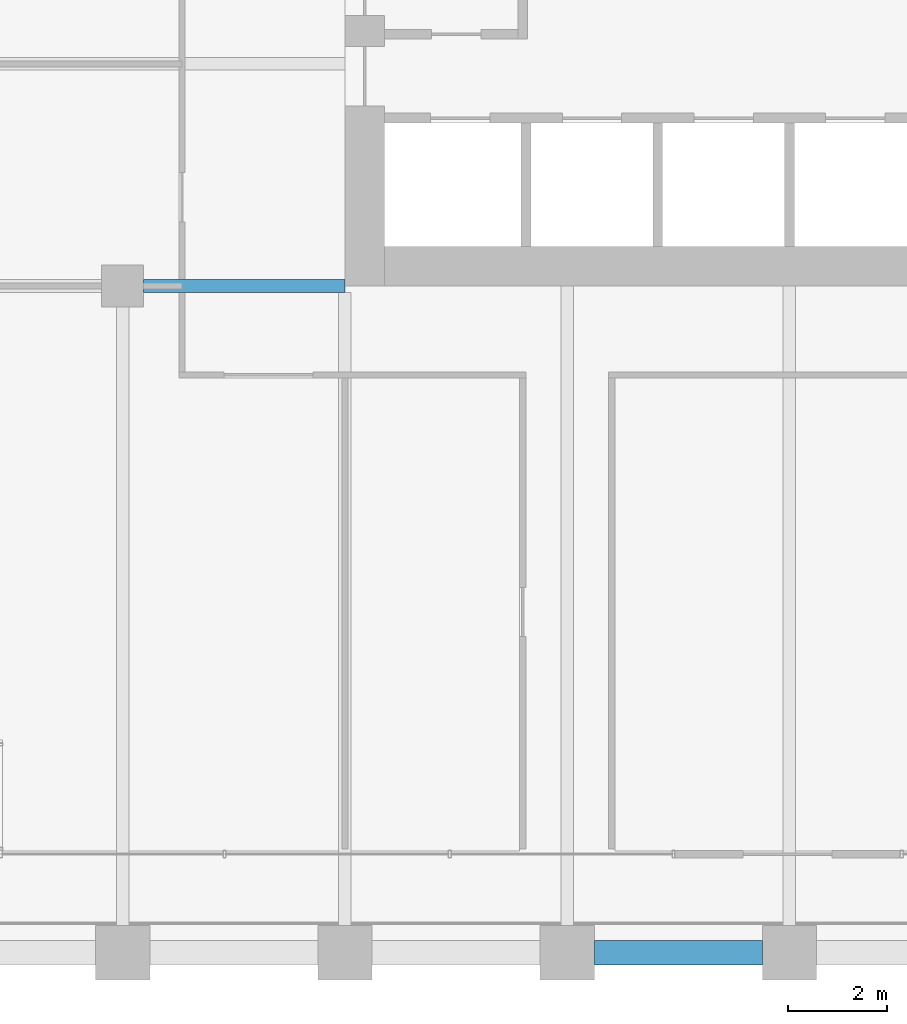
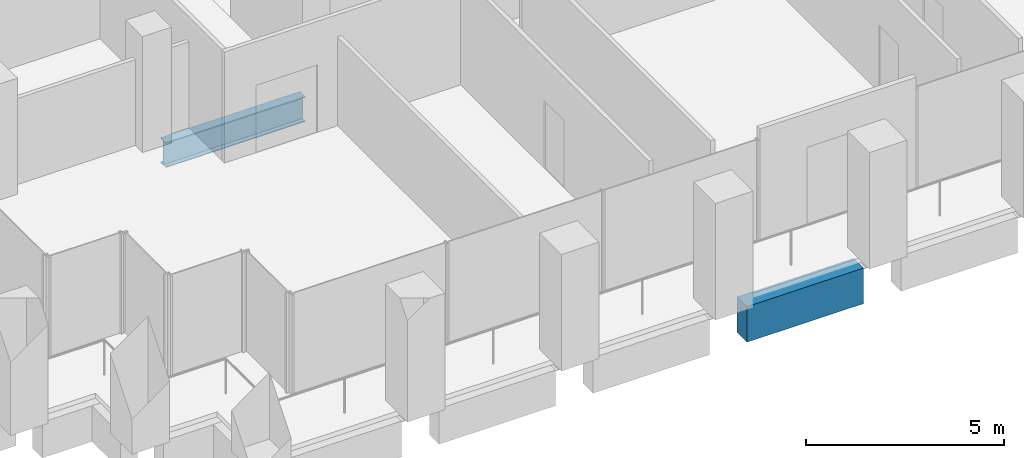
# One storey, part 6 of 56: 2 beams.
"""IFC4 building model written with IfcOpenShell, lengths in metres."""

from ifc_helpers import new_model, si_unit, direction, frame, origin, origin_2d, place, context, subcontext, project, spatial, rectangle, i_section, extrude, material, material_profile, profile_set, type_object, element, save


model = new_model("IFC4")

# Units and contexts
model_context = context("Model", 3, precision=1e-05, world=origin(), true_north=direction((0.0, 1.0)))
body_context = subcontext(model_context, "Body", "Model", "MODEL_VIEW")
ifc_project = project(units=[si_unit("LENGTHUNIT", "METRE"), si_unit("AREAUNIT", "SQUARE_METRE"), si_unit("VOLUMEUNIT", "CUBIC_METRE"), si_unit("PLANEANGLEUNIT", "RADIAN"), si_unit("MASSUNIT", "GRAM", prefix="KILO")], contexts=[model_context])

# Site, building, storey
site_placement = place(None, origin())
site = spatial("IfcSite", under=ifc_project, at=site_placement, CompositionType="ELEMENT")
building_placement = place(site_placement, origin())
building = spatial("IfcBuilding", under=site, at=building_placement, Name="Altepetl Exchange Towers", CompositionType="ELEMENT")
storey_placement = place(building_placement, frame((0.0, 0.0, 72.60009765625)))
storey = spatial("IfcBuildingStorey", under=building, at=storey_placement, Name="L17", CompositionType="ELEMENT", Elevation=72.60009765625)

# Beams
ifc_material_1 = material(Name="Steel S355", Category="steel")
ifc_material_profile_1 = material_profile(ifc_material_1, i_section(OverallWidth=0.26806640625, OverallDepth=0.77392578125, WebThickness=0.015380859375, FlangeThickness=0.025390625, at=origin_2d()), Name="W30X132")
ifc_profile_set_1 = profile_set([ifc_material_profile_1], Name="Steel S355")
beam_type_1 = type_object("IfcBeamType", Name="Girder W30X132", PredefinedType="BEAM", material=ifc_profile_set_1)
beam_1_placement = place(storey_placement, frame((40.5, 40.5, -0.537109375), z_axis=(-1.0, 0.0, 0.0), x_axis=(0.0, -1.0, 0.0)))
element("IfcBeam", 1, at=beam_1_placement, inside=storey, type_object=beam_type_1, Name="gd:A:L17:009", PredefinedType="BEAM", context=body_context, shape_type="SweptSolid", body=[
    extrude(i_section(OverallWidth=0.26806640625, OverallDepth=0.77392578125, WebThickness=0.015380859375, FlangeThickness=0.025390625, at=origin_2d()), origin(), (0.0, 0.0, 1.0), 4.074951171875),
])
ifc_material_2 = material(Name="Concrete C50/60 precast with cantera blanca facing", Category="concrete")
ifc_material_profile_2 = material_profile(ifc_material_2, rectangle(XDim=0.5, YDim=1.10009765625, at=origin_2d()), Name="500 x 1100")
ifc_profile_set_2 = profile_set([ifc_material_profile_2], Name="Concrete C50/60 precast with cantera blanca facing")
beam_type_2 = type_object("IfcBeamType", Name="Spandrel beam 500x1100 cantera blanca", PredefinedType="SPANDREL", material=ifc_profile_set_2)
beam_2_placement = place(storey_placement, frame((45.550048828125, 27.0, -0.7001953125), z_axis=(1.0, 0.0, 0.0), x_axis=(0.0, 1.0, 0.0)))
element("IfcBeam", 2, at=beam_2_placement, inside=storey, type_object=beam_type_2, Name="sp:A:L17:003", PredefinedType="SPANDREL", context=body_context, shape_type="SweptSolid", body=[
    extrude(rectangle(XDim=0.5, YDim=1.10009765625, at=origin_2d()), origin(), (0.0, 0.0, 1.0), 3.39990234375),
])

save(model, "model.ifc")
